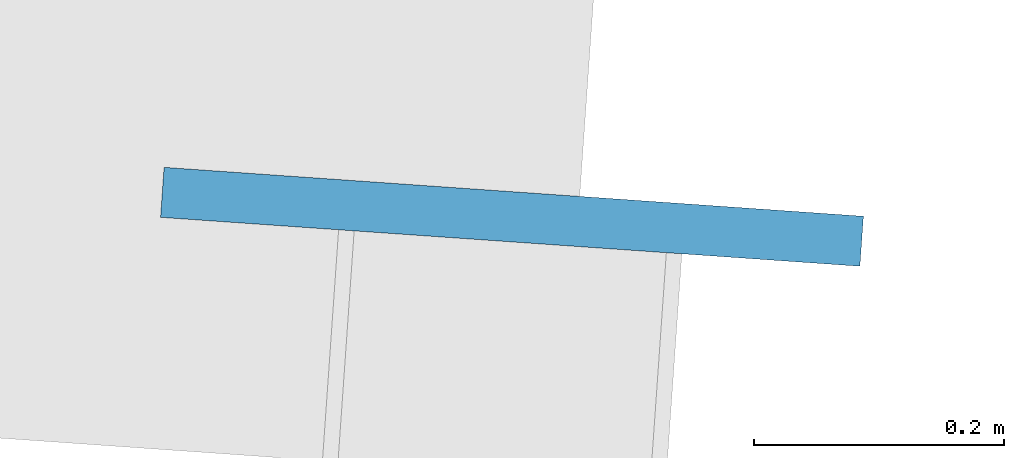
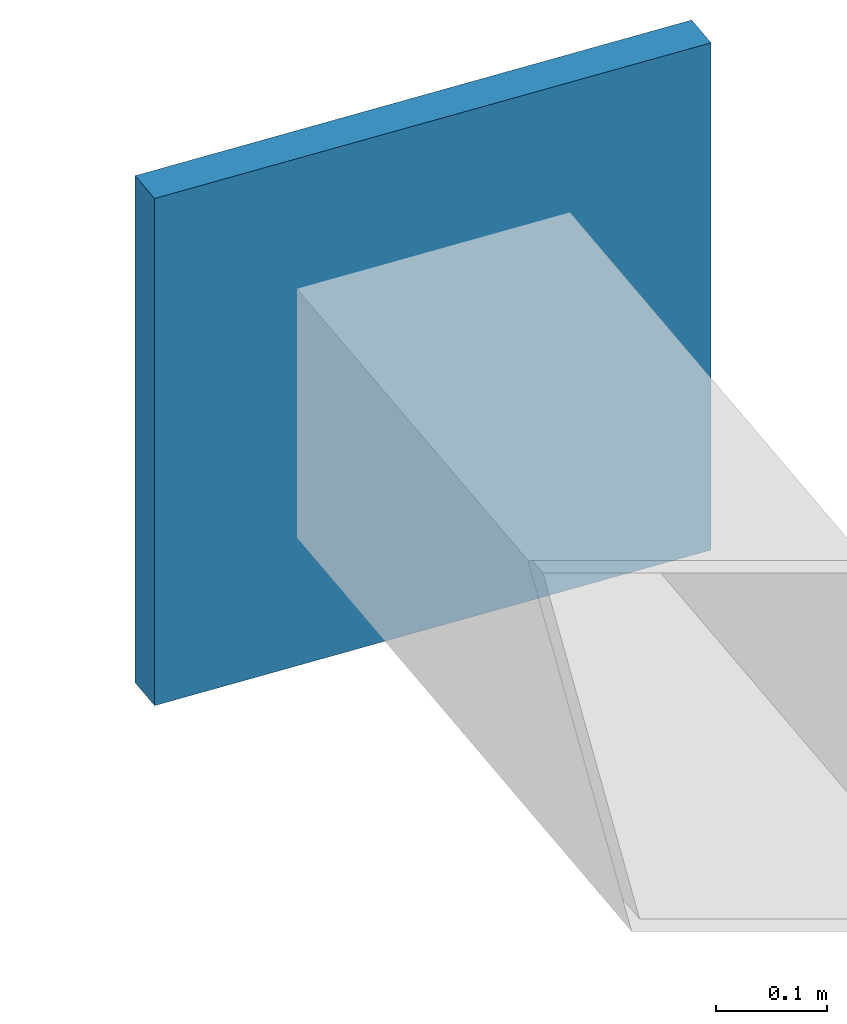
# One storey, part 34 of 39: 1 plate.
"""IFC4 building model written with IfcOpenShell, lengths in metres."""

from ifc_helpers import new_model, si_unit, direction, frame, origin, origin_2d, place, context, subcontext, project, spatial, rectangle, extrude, source, transform, mapped, material, layer, layer_set, type_object, element, save


model = new_model("IFC4")

# Units and contexts
model_context = context("Model", 3, precision=1e-05, world=origin(), true_north=direction((0.0, 1.0)))
body_context = subcontext(model_context, "Body", "Model", "MODEL_VIEW")
ifc_project = project(units=[si_unit("LENGTHUNIT", "METRE"), si_unit("AREAUNIT", "SQUARE_METRE"), si_unit("VOLUMEUNIT", "CUBIC_METRE"), si_unit("PLANEANGLEUNIT", "RADIAN"), si_unit("MASSUNIT", "GRAM", prefix="KILO")], contexts=[model_context])

# Site, building, storey
site_placement = place(None, origin())
site = spatial("IfcSite", under=ifc_project, at=site_placement, CompositionType="ELEMENT")
building_placement = place(site_placement, origin())
building = spatial("IfcBuilding", under=site, at=building_placement, Name="Taldren Reach Tower", CompositionType="ELEMENT")
storey_placement = place(building_placement, frame((0.0, 0.0, 161.35009765625)))
storey = spatial("IfcBuildingStorey", under=building, at=storey_placement, Name="L49", CompositionType="ELEMENT", Elevation=161.35009765625)

# Plate
ifc_material = material(Name="Steel Gr 450 (C450L0)", Category="steel")
ifc_layer = layer(ifc_material, 0.0400390625)
ifc_layer_set = layer_set([ifc_layer], Name="Steel Gr 450 (C450L0)")
plate_type = type_object("IfcPlateType", Name="PL-GUSSET-40", PredefinedType="SHEET", material=ifc_layer_set)
shared_shape = source(origin(), body_context, "Body", "SweptSolid", [
    extrude(rectangle(XDim=0.56005859375, YDim=0.0400390625, at=origin_2d()), origin(), (0.0, 0.0, 1.0), 0.56005859375),
])
plate_placement = place(storey_placement, frame((58.544677734375, 36.40771484375, 2.309814453125), z_axis=(0.0, 0.0, 1.0), x_axis=(0.99756405026, -0.069756473744, 0.0)))
element("IfcPlate", 1, at=plate_placement, inside=storey, type_object=plate_type, Name="Exoskeleton star-node gusset plate B3-N6 L49", PredefinedType="SHEET", context=body_context, shape_type="MappedRepresentation", body=[
    mapped(shared_shape, transform((0.0, 0.0, 0.0), scale=1.0)),
])

save(model, "model.ifc")
